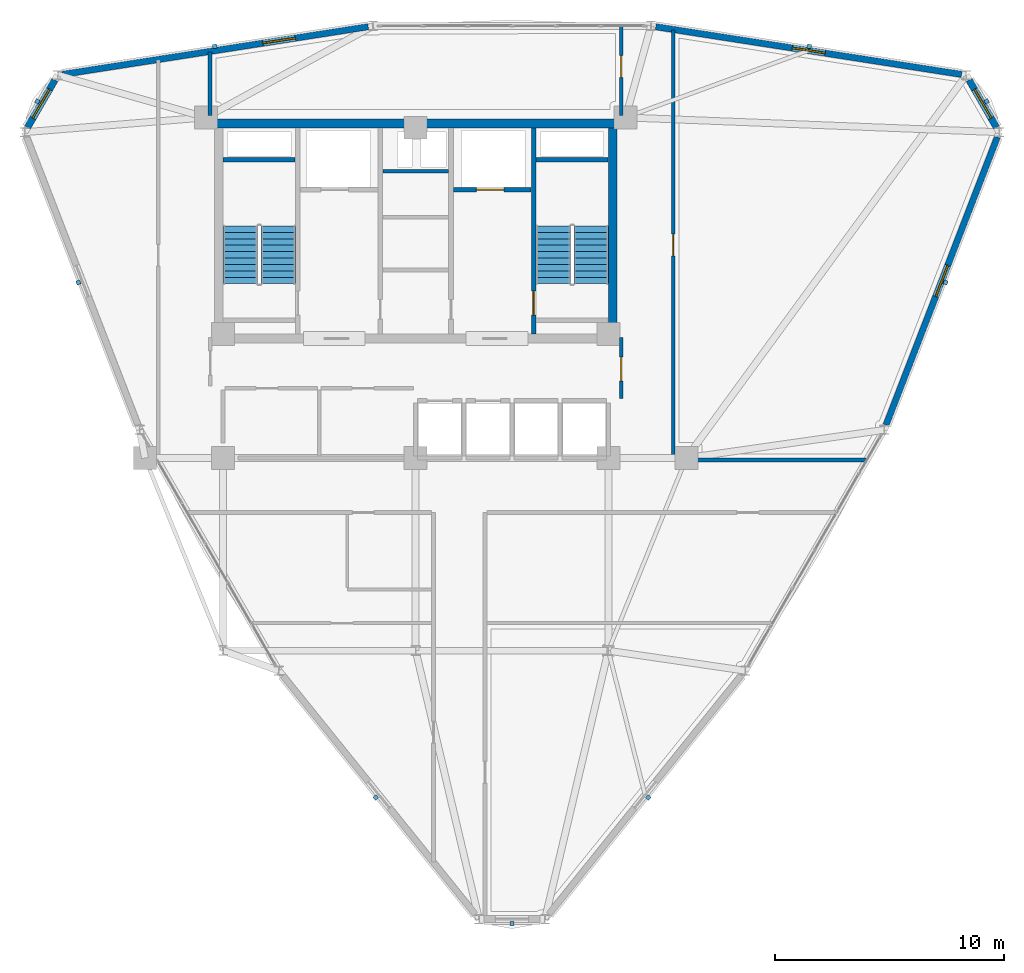
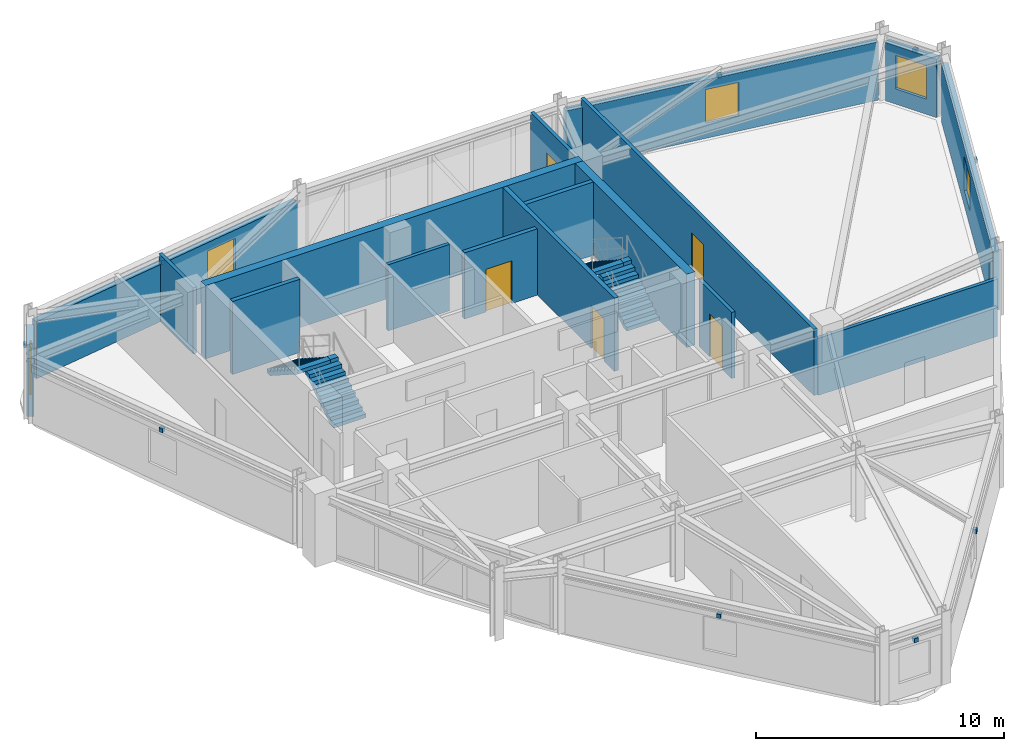
# One storey, part 14 of 16: 17 walls, 9 discrete accessories, 5 doors, 5 windows, 4 stair flights, 10 openings, 2 elements without a shape of their own.
"""IFC4 building model written with IfcOpenShell, lengths in metres."""

from ifc_helpers import new_model, si_unit, derived_unit, direction, frame, frame_2d, origin, origin_2d, place, context, subcontext, project, spatial, polyline, rectangle, outline, extrude, source, transform, mapped, material, layer, layer_set, type_object, element, fill, aggregate, save


model = new_model("IFC4")

# Units and contexts
model_context = context("Model", 3, precision=1e-05, world=origin(), true_north=direction((0.0, 1.0)))
body_context = subcontext(model_context, "Body", "Model", "MODEL_VIEW")
ifc_project = project(units=[si_unit("LENGTHUNIT", "METRE"), si_unit("AREAUNIT", "SQUARE_METRE"), si_unit("VOLUMEUNIT", "CUBIC_METRE"), si_unit("PLANEANGLEUNIT", "RADIAN"), si_unit("MASSUNIT", "GRAM", prefix="KILO"), derived_unit("THERMALTRANSMITTANCEUNIT", [(si_unit("POWERUNIT", "WATT"), 1), (si_unit("LENGTHUNIT", "METRE"), -2), (si_unit("THERMODYNAMICTEMPERATUREUNIT", "KELVIN"), -1)])], contexts=[model_context])

# Site, building, storey
site_placement = place(None, origin())
site = spatial("IfcSite", under=ifc_project, at=site_placement, CompositionType="ELEMENT")
building_placement = place(site_placement, origin())
building = spatial("IfcBuilding", under=site, at=building_placement, Name="Korsvarv Bourse and Concert Hall", CompositionType="ELEMENT")
storey_placement = place(building_placement, frame((0.0, 0.0, 234.60009765625)))
storey = spatial("IfcBuildingStorey", under=building, at=storey_placement, Name="L61", CompositionType="ELEMENT", Elevation=234.60009765625)

# Walls
ifc_material_1 = material(Name="Concrete C50/60", Category="concrete")
ifc_layer_1 = layer(ifc_material_1, 0.3798828125)
ifc_layer_set_1 = layer_set([ifc_layer_1], Name="Concrete C50/60")
wall_type_1 = type_object("IfcWallType", Name="WL-CORE-380", PredefinedType="SHEAR", material=ifc_layer_set_1)
wall_1_placement = place(storey_placement, frame((27.219970703125, 46.989990234375, 0.0), z_axis=(0.0, 0.0, 1.0), x_axis=(1.0, 0.0, 0.0)))
element("IfcWall", 1, at=wall_1_placement, inside=storey, type_object=wall_type_1, Name="L61 North Core Shear Wall", PredefinedType="SHEAR", context=body_context, shape_type="SweptSolid", body=[
    extrude(rectangle(XDim=17.56005859375, YDim=0.3798828125, at=frame_2d((8.780029296875, 0.0))), origin(), (0.0, 0.0, 1.0), 3.599853515625),
])
wall_2_placement = place(storey_placement, frame((44.590087890625, 37.800048828125, 0.0), z_axis=(0.0, 0.0, 1.0), x_axis=(0.0, 1.0, 0.0)))
element("IfcWall", 2, at=wall_2_placement, inside=storey, type_object=wall_type_1, Name="L61 East Core Shear Wall", PredefinedType="SHEAR", context=body_context, shape_type="SweptSolid", body=[
    extrude(rectangle(XDim=9.0, YDim=0.3798828125, at=frame_2d((4.5, 0.0))), origin(), (0.0, 0.0, 1.0), 3.599853515625),
])
wall_3_placement = place(storey_placement, frame((27.610107421875, 45.39990234375, 0.0), z_axis=(0.0, 0.0, 1.0), x_axis=(1.0, 0.0, 0.0)))
element("IfcWall", 3, at=wall_3_placement, inside=storey, type_object=wall_type_1, Name="L61 stair shaft structural wall W-L61-ST1-N", PredefinedType="SHEAR", context=body_context, shape_type="SweptSolid", body=[
    extrude(rectangle(XDim=3.139892578125, YDim=0.199951171875, at=frame_2d((1.56982421875, 0.0))), origin(), (0.0, 0.0, 1.0), 3.599853515625),
])

# Wall, opening, door
wall_4_placement = place(storey_placement, frame((41.139892578125, 37.81005859375, 0.0), z_axis=(0.0, 0.0, 1.0), x_axis=(0.0, 1.0, 0.0)))
wall_4 = element("IfcWall", 4, at=wall_4_placement, inside=storey, type_object=wall_type_1, Name="L61 stair shaft structural wall W-L61-ST2-W", PredefinedType="SHEAR", context=body_context, shape_type="SweptSolid", body=[
    extrude(rectangle(XDim=8.97998046875, YDim=0.199951171875, at=frame_2d((4.489990234375, 0.0))), origin(), (0.0, 0.0, 1.0), 3.599853515625),
])
opening_1_placement = place(wall_4_placement, frame((0.820068359375, 0.0, 0.0)))
opening_1 = element("IfcOpeningElement", 5, at=opening_1_placement, cuts=wall_4, Name="Opening D-01", PredefinedType="OPENING", context=body_context, shape_type="SweptSolid", body=[
    extrude(rectangle(XDim=1.050048828125, YDim=2.10009765625, at=frame_2d((0.52490234375, 1.050048828125))), frame((0.0, 0.10986328125, 0.0), z_axis=(0.0, -1.0, 0.0), x_axis=(1.0, 0.0, 0.0)), (0.0, 0.0, 1.0), 0.219970703125),
])
ifc_material_2 = material(Name="Steel S355 fire door", Category="steel")
door_type_1 = type_object("IfcDoorType", Name="DR-FD60", OperationType="NOTDEFINED", PredefinedType="DOOR", material=ifc_material_2)
door_1_placement = place(opening_1_placement, frame((1.050048828125, 0.0, 0.0), z_axis=(0.0, 0.0, 1.0), x_axis=(-1.0, 0.0, 0.0)))
door_1 = element("IfcDoor", 6, at=door_1_placement, inside=storey, type_object=door_type_1, Name="L61 interior door DR-L61-ST2", OperationType="SINGLE_SWING_LEFT", OverallHeight=2.10009765625, OverallWidth=1.050048828125, PredefinedType="DOOR", context=body_context, shape_type="SweptSolid", body=[
    extrude(rectangle(XDim=1.050048828125, YDim=2.10009765625, at=frame_2d((0.52490234375, 1.050048828125))), frame((0.0, 0.02490234375, 0.0), z_axis=(0.0, -1.0, 0.0), x_axis=(1.0, 0.0, 0.0)), (0.0, 0.0, 1.0), 0.050048828125),
])
fill(opening_1, door_1)

# Wall
wall_5_placement = place(storey_placement, frame((41.25, 45.39990234375, 0.0), z_axis=(0.0, 0.0, 1.0), x_axis=(1.0, 0.0, 0.0)))
element("IfcWall", 7, at=wall_5_placement, inside=storey, type_object=wall_type_1, Name="L61 stair shaft structural wall W-L61-ST2-N", PredefinedType="SHEAR", context=body_context, shape_type="SweptSolid", body=[
    extrude(rectangle(XDim=3.139892578125, YDim=0.199951171875, at=frame_2d((1.56982421875, 0.0))), origin(), (0.0, 0.0, 1.0), 3.599853515625),
])

# Wall, opening, window
ifc_material_3 = material(Name="Precast concrete C45/55 with terracotta rainscreen", Category="concrete")
ifc_layer_2 = layer(ifc_material_3, 0.300048828125)
ifc_layer_set_2 = layer_set([ifc_layer_2], Name="Precast concrete C45/55 with terracotta rainscreen")
wall_type_2 = type_object("IfcWallType", Name="WL-EXT-TC1", PredefinedType="SOLIDWALL", material=ifc_layer_set_2)
wall_6_placement = place(storey_placement, frame((61.32421875, 46.8193359375, 0.0), z_axis=(0.0, 0.0, 1.0), x_axis=(-0.499938113561, 0.866061130988, 0.0)))
wall_6 = element("IfcWall", 8, at=wall_6_placement, inside=storey, type_object=wall_type_2, Name="L61 terracotta exterior wall EW-L61-B01", PredefinedType="SOLIDWALL", context=body_context, shape_type="SweptSolid", body=[
    extrude(rectangle(XDim=2.384521484375, YDim=0.300048828125, at=frame_2d((1.1923828125, 0.0))), origin(), (0.0, 0.0, 1.0), 2.869873046875),
])
opening_2_placement = place(wall_6_placement, frame((0.46728515625, 0.0, 0.75)))
opening_2 = element("IfcOpeningElement", 9, at=opening_2_placement, cuts=wall_6, Name="Opening W-02", PredefinedType="OPENING", context=body_context, shape_type="SweptSolid", body=[
    extrude(rectangle(XDim=1.449951171875, YDim=1.64990234375, at=frame_2d((0.72509765625, 0.824951171875))), frame((0.0, 0.16015625, 0.0), z_axis=(0.0, -1.0, 0.0), x_axis=(1.0, 0.0, 0.0)), (0.0, 0.0, 1.0), 0.320068359375),
])
ifc_material_4 = material(Name="Thermally broken aluminium frame with triple low-E glass", Category="glass")
window_type = type_object("IfcWindowType", Name="WIN-TW2", PartitioningType="SINGLE_PANEL", PredefinedType="WINDOW", material=ifc_material_4)
window_1_placement = place(opening_2_placement, origin())
window_1 = element("IfcWindow", 10, at=window_1_placement, inside=storey, type_object=window_type, Name="L61 punched facade window W-02", OverallHeight=1.64990234375, OverallWidth=1.449951171875, PartitioningType="SINGLE_PANEL", PredefinedType="WINDOW", context=body_context, shape_type="SweptSolid", body=[
    extrude(rectangle(XDim=1.449951171875, YDim=1.64990234375, at=frame_2d((0.72509765625, 0.824951171875))), frame((0.0, 0.030029296875, 0.0), z_axis=(0.0, -1.0, 0.0), x_axis=(1.0, 0.0, 0.0)), (0.0, 0.0, 1.0), 0.06005859375),
])
fill(opening_2, window_1)

wall_7_placement = place(storey_placement, frame((20.26806640625, 48.884521484375, 0.0), z_axis=(0.0, 0.0, 1.0), x_axis=(-0.500014901547, -0.866016800201, 0.0)))
wall_7 = element("IfcWall", 11, at=wall_7_placement, inside=storey, type_object=wall_type_2, Name="L61 terracotta exterior wall EW-L61-B05", PredefinedType="SOLIDWALL", context=body_context, shape_type="SweptSolid", body=[
    extrude(rectangle(XDim=2.384765625, YDim=0.300048828125, at=frame_2d((1.1923828125, 0.0))), origin(), (0.0, 0.0, 1.0), 2.869873046875),
])
opening_3_placement = place(wall_7_placement, frame((0.46728515625, 0.0, 0.75)))
opening_3 = element("IfcOpeningElement", 12, at=opening_3_placement, cuts=wall_7, Name="Opening W-02", PredefinedType="OPENING", context=body_context, shape_type="SweptSolid", body=[
    extrude(rectangle(XDim=1.449951171875, YDim=1.64990234375, at=frame_2d((0.72509765625, 0.824951171875))), frame((0.0, 0.16015625, 0.0), z_axis=(0.0, -1.0, 0.0), x_axis=(1.0, 0.0, 0.0)), (0.0, 0.0, 1.0), 0.320068359375),
])
window_2_placement = place(opening_3_placement, origin())
window_2 = element("IfcWindow", 13, at=window_2_placement, inside=storey, type_object=window_type, Name="L61 punched facade window W-02", OverallHeight=1.64990234375, OverallWidth=1.449951171875, PartitioningType="SINGLE_PANEL", PredefinedType="WINDOW", context=body_context, shape_type="SweptSolid", body=[
    extrude(rectangle(XDim=1.449951171875, YDim=1.64990234375, at=frame_2d((0.72509765625, 0.824951171875))), frame((0.0, 0.030029296875, 0.0), z_axis=(0.0, -1.0, 0.0), x_axis=(1.0, 0.0, 0.0)), (0.0, 0.0, 1.0), 0.06005859375),
])
fill(opening_3, window_2)

ifc_material_5 = material(Name="Precast concrete C45/55 with fluted terracotta pier", Category="concrete")
ifc_layer_3 = layer(ifc_material_5, 0.280029296875)
ifc_layer_set_3 = layer_set([ifc_layer_3], Name="Precast concrete C45/55 with fluted terracotta pier")
wall_type_3 = type_object("IfcWallType", Name="WL-EXT-TC2", PredefinedType="SOLIDWALL", material=ifc_layer_set_3)
wall_8_placement = place(storey_placement, frame((59.801025390625, 49.1298828125, 0.0), z_axis=(0.0, 0.0, 1.0), x_axis=(-0.988058992674, 0.154076042901, 0.0)))
wall_8 = element("IfcWall", 14, at=wall_8_placement, inside=storey, type_object=wall_type_3, Name="L61 terracotta exterior wall EW-L61-B02", PredefinedType="SOLIDWALL", context=body_context, shape_type="SweptSolid", body=[
    extrude(rectangle(XDim=13.492431640625, YDim=0.280029296875, at=frame_2d((6.74609375, 0.0))), origin(), (0.0, 0.0, 1.0), 2.869873046875),
])
opening_4_placement = place(wall_8_placement, frame((6.02099609375, 0.0, 0.75)))
opening_4 = element("IfcOpeningElement", 15, at=opening_4_placement, cuts=wall_8, Name="Opening W-02", PredefinedType="OPENING", context=body_context, shape_type="SweptSolid", body=[
    extrude(rectangle(XDim=1.449951171875, YDim=1.64990234375, at=frame_2d((0.72509765625, 0.824951171875))), frame((0.0, 0.14990234375, 0.0), z_axis=(0.0, -1.0, 0.0), x_axis=(1.0, 0.0, 0.0)), (0.0, 0.0, 1.0), 0.300048828125),
])
window_3_placement = place(opening_4_placement, origin())
window_3 = element("IfcWindow", 16, at=window_3_placement, inside=storey, type_object=window_type, Name="L61 punched facade window W-02", OverallHeight=1.64990234375, OverallWidth=1.449951171875, PartitioningType="SINGLE_PANEL", PredefinedType="WINDOW", context=body_context, shape_type="SweptSolid", body=[
    extrude(rectangle(XDim=1.449951171875, YDim=1.64990234375, at=frame_2d((0.72509765625, 0.824951171875))), frame((0.0, 0.030029296875, 0.0), z_axis=(0.0, -1.0, 0.0), x_axis=(1.0, 0.0, 0.0)), (0.0, 0.0, 1.0), 0.06005859375),
])
fill(opening_4, window_3)

wall_9_placement = place(storey_placement, frame((33.93017578125, 51.208740234375, 0.0), z_axis=(0.0, 0.0, 1.0), x_axis=(-0.988058563106, -0.154078797613, 0.0)))
wall_9 = element("IfcWall", 17, at=wall_9_placement, inside=storey, type_object=wall_type_3, Name="L61 terracotta exterior wall EW-L61-B04", PredefinedType="SOLIDWALL", context=body_context, shape_type="SweptSolid", body=[
    extrude(rectangle(XDim=13.4921875, YDim=0.280029296875, at=frame_2d((6.74609375, 0.0))), origin(), (0.0, 0.0, 1.0), 2.809814453125),
])
opening_5_placement = place(wall_9_placement, frame((3.210693359375, 0.0, 0.75)))
opening_5 = element("IfcOpeningElement", 18, at=opening_5_placement, cuts=wall_9, Name="Opening W-02", PredefinedType="OPENING", context=body_context, shape_type="SweptSolid", body=[
    extrude(rectangle(XDim=1.449951171875, YDim=1.64990234375, at=frame_2d((0.72509765625, 0.824951171875))), frame((0.0, 0.14990234375, 0.0), z_axis=(0.0, -1.0, 0.0), x_axis=(1.0, 0.0, 0.0)), (0.0, 0.0, 1.0), 0.300048828125),
])
window_4_placement = place(opening_5_placement, origin())
window_4 = element("IfcWindow", 19, at=window_4_placement, inside=storey, type_object=window_type, Name="L61 punched facade window W-02", OverallHeight=1.64990234375, OverallWidth=1.449951171875, PartitioningType="SINGLE_PANEL", PredefinedType="WINDOW", context=body_context, shape_type="SweptSolid", body=[
    extrude(rectangle(XDim=1.449951171875, YDim=1.64990234375, at=frame_2d((0.72509765625, 0.824951171875))), frame((0.0, 0.030029296875, 0.0), z_axis=(0.0, -1.0, 0.0), x_axis=(1.0, 0.0, 0.0)), (0.0, 0.0, 1.0), 0.06005859375),
])
fill(opening_5, window_4)

wall_10_placement = place(storey_placement, frame((56.512451171875, 33.842041015625, 0.0), z_axis=(0.0, 0.0, 1.0), x_axis=(0.360605208927, 0.932718544522, 0.0)))
wall_10 = element("IfcWall", 20, at=wall_10_placement, inside=storey, type_object=wall_type_3, Name="L61 terracotta exterior wall EW-L61-B12", PredefinedType="SOLIDWALL", context=body_context, shape_type="SweptSolid", body=[
    extrude(rectangle(XDim=13.45654296875, YDim=0.280029296875, at=frame_2d((6.728271484375, 0.0))), origin(), (0.0, 0.0, 1.0), 2.869873046875),
])
opening_6_placement = place(wall_10_placement, frame((6.00341796875, 0.0, 0.75)))
opening_6 = element("IfcOpeningElement", 21, at=opening_6_placement, cuts=wall_10, Name="Opening W-02", PredefinedType="OPENING", context=body_context, shape_type="SweptSolid", body=[
    extrude(rectangle(XDim=1.449951171875, YDim=1.64990234375, at=frame_2d((0.72509765625, 0.824951171875))), frame((0.0, 0.14990234375, 0.0), z_axis=(0.0, -1.0, 0.0), x_axis=(1.0, 0.0, 0.0)), (0.0, 0.0, 1.0), 0.300048828125),
])
window_5_placement = place(opening_6_placement, origin())
window_5 = element("IfcWindow", 22, at=window_5_placement, inside=storey, type_object=window_type, Name="L61 punched facade window W-02", OverallHeight=1.64990234375, OverallWidth=1.449951171875, PartitioningType="SINGLE_PANEL", PredefinedType="WINDOW", context=body_context, shape_type="SweptSolid", body=[
    extrude(rectangle(XDim=1.449951171875, YDim=1.64990234375, at=frame_2d((0.72509765625, 0.824951171875))), frame((0.0, 0.030029296875, 0.0), z_axis=(0.0, -1.0, 0.0), x_axis=(1.0, 0.0, 0.0)), (0.0, 0.0, 1.0), 0.06005859375),
])
fill(opening_6, window_5)

# Wall, opening, door
ifc_material_6 = material(Name="Reinforced concrete blockwork C35/45 fire wall", Category="concrete")
ifc_layer_4 = layer(ifc_material_6, 0.199951171875)
ifc_layer_set_4 = layer_set([ifc_layer_4], Name="Reinforced concrete blockwork C35/45 fire wall")
wall_type_4 = type_object("IfcWallType", Name="WL-INT-EI120", PredefinedType="PARTITIONING", material=ifc_layer_set_4)
wall_11_placement = place(storey_placement, frame((37.64990234375, 44.10009765625, 0.0), z_axis=(0.0, 0.0, 1.0), x_axis=(1.0, 0.0, 0.0)))
wall_11 = element("IfcWall", 23, at=wall_11_placement, inside=storey, type_object=wall_type_4, Name="L61 interior partition wall W-L61-FF2-S", PredefinedType="PARTITIONING", context=body_context, shape_type="SweptSolid", body=[
    extrude(rectangle(XDim=3.380126953125, YDim=0.199951171875, at=frame_2d((1.68994140625, 0.0))), origin(), (0.0, 0.0, 1.0), 3.260009765625),
])
opening_7_placement = place(wall_11_placement, frame((1.0, 0.0, 0.0)))
opening_7 = element("IfcOpeningElement", 24, at=opening_7_placement, cuts=wall_11, Name="Opening LD-1", PredefinedType="OPENING", context=body_context, shape_type="SweptSolid", body=[
    extrude(rectangle(XDim=1.199951171875, YDim=2.10009765625, at=frame_2d((0.60009765625, 1.050048828125))), frame((0.0, 0.10986328125, 0.0), z_axis=(0.0, -1.0, 0.0), x_axis=(1.0, 0.0, 0.0)), (0.0, 0.0, 1.0), 0.219970703125),
])
ifc_material_7 = material(Name="Stainless Steel S355 firefighting lift landing door", Category="steel")
door_type_2 = type_object("IfcDoorType", Name="DR-LIFT-FF", OperationType="DOUBLE_DOOR_SLIDING", PredefinedType="DOOR", material=ifc_material_7)
door_2_placement = place(opening_7_placement, origin())
door_2 = element("IfcDoor", 25, at=door_2_placement, inside=storey, type_object=door_type_2, Name="L61 lift sliding landing door LD-L61-FF2", OperationType="DOUBLE_DOOR_SLIDING", OverallHeight=2.10009765625, OverallWidth=1.199951171875, PredefinedType="DOOR", context=body_context, shape_type="SweptSolid", body=[
    extrude(rectangle(XDim=1.199951171875, YDim=2.10009765625, at=frame_2d((0.60009765625, 1.050048828125))), frame((0.0, 0.02490234375, 0.0), z_axis=(0.0, -1.0, 0.0), x_axis=(1.0, 0.0, 0.0)), (0.0, 0.0, 1.0), 0.050048828125),
])
fill(opening_7, door_2)

# Wall
ifc_material_8 = material(Name="Double-stud fire-rated acoustic partition", Category="gypsum")
ifc_layer_5 = layer(ifc_material_8, 0.159912109375)
ifc_layer_set_5 = layer_set([ifc_layer_5], Name="Double-stud fire-rated acoustic partition")
wall_type_5 = type_object("IfcWallType", Name="WL-INT-EI60", PredefinedType="PARTITIONING", material=ifc_layer_set_5)
wall_12_placement = place(storey_placement, frame((34.570068359375, 44.89990234375, 0.0), z_axis=(0.0, 0.0, 1.0), x_axis=(1.0, 0.0, 0.0)))
element("IfcWall", 26, at=wall_12_placement, inside=storey, type_object=wall_type_5, Name="L61 interior partition wall W-L61-K3", PredefinedType="PARTITIONING", context=body_context, shape_type="SweptSolid", body=[
    extrude(rectangle(XDim=2.85986328125, YDim=0.159912109375, at=frame_2d((1.429931640625, 0.0))), origin(), (0.0, 0.0, 1.0), 3.260009765625),
])

# Wall, opening, door
wall_13_placement = place(storey_placement, frame((44.9599609375, 35.0, 0.0), z_axis=(0.0, 0.0, 1.0), x_axis=(0.0, 1.0, 0.0)))
wall_13 = element("IfcWall", 27, at=wall_13_placement, inside=storey, type_object=wall_type_5, Name="L61 interior partition wall W-L61-LOB-E", PredefinedType="PARTITIONING", context=body_context, shape_type="SweptSolid", body=[
    extrude(rectangle(XDim=2.64990234375, YDim=0.159912109375, at=frame_2d((1.324951171875, 0.0))), origin(), (0.0, 0.0, 1.0), 3.260009765625),
])
opening_8_placement = place(wall_13_placement, frame((0.75, 0.0, 0.0)))
opening_8 = element("IfcOpeningElement", 28, at=opening_8_placement, cuts=wall_13, Name="Opening D-01", PredefinedType="OPENING", context=body_context, shape_type="SweptSolid", body=[
    extrude(rectangle(XDim=1.050048828125, YDim=2.10009765625, at=frame_2d((0.52490234375, 1.050048828125))), frame((0.0, 0.08984375, 0.0), z_axis=(0.0, -1.0, 0.0), x_axis=(1.0, 0.0, 0.0)), (0.0, 0.0, 1.0), 0.179931640625),
])
door_3_placement = place(opening_8_placement, origin())
door_3 = element("IfcDoor", 29, at=door_3_placement, inside=storey, type_object=door_type_1, Name="L61 interior door DR-L61-LOBE", OperationType="SINGLE_SWING_LEFT", OverallHeight=2.10009765625, OverallWidth=1.050048828125, PredefinedType="DOOR", context=body_context, shape_type="SweptSolid", body=[
    extrude(rectangle(XDim=1.050048828125, YDim=2.10009765625, at=frame_2d((0.52490234375, 1.050048828125))), frame((0.0, 0.02490234375, 0.0), z_axis=(0.0, -1.0, 0.0), x_axis=(1.0, 0.0, 0.0)), (0.0, 0.0, 1.0), 0.050048828125),
])
fill(opening_8, door_3)

wall_14_placement = place(storey_placement, frame((47.22509765625, 32.31005859375, 0.0), z_axis=(0.0, 0.0, 1.0), x_axis=(0.0, 1.0, 0.0)))
wall_14 = element("IfcWall", 30, at=wall_14_placement, inside=storey, type_object=wall_type_5, Name="L61 interior partition wall W-L61-TCOR-01", PredefinedType="PARTITIONING", context=body_context, shape_type="SweptSolid", body=[
    extrude(rectangle(XDim=18.7607421875, YDim=0.159912109375, at=frame_2d((9.38037109375, 0.0))), origin(), (0.0, 0.0, 1.0), 3.260009765625),
])
opening_9_placement = place(wall_14_placement, frame((8.905517578125, 0.0, 0.0)))
opening_9 = element("IfcOpeningElement", 31, at=opening_9_placement, cuts=wall_14, Name="Opening D-02", PredefinedType="OPENING", context=body_context, shape_type="SweptSolid", body=[
    extrude(rectangle(XDim=0.949951171875, YDim=2.050048828125, at=frame_2d((0.47509765625, 1.02490234375))), frame((0.0, 0.08984375, 0.0), z_axis=(0.0, -1.0, 0.0), x_axis=(1.0, 0.0, 0.0)), (0.0, 0.0, 1.0), 0.179931640625),
])
ifc_material_9 = material(Name="Timber and steel acoustic fire door", Category="wood")
door_type_3 = type_object("IfcDoorType", Name="DR-FD30", OperationType="NOTDEFINED", PredefinedType="DOOR", material=ifc_material_9)
door_4_placement = place(opening_9_placement, origin())
door_4 = element("IfcDoor", 32, at=door_4_placement, inside=storey, type_object=door_type_3, Name="L61 interior door DR-L61-TCOR-NEJ1", OperationType="SINGLE_SWING_RIGHT", OverallHeight=2.050048828125, OverallWidth=0.949951171875, PredefinedType="DOOR", context=body_context, shape_type="SweptSolid", body=[
    extrude(rectangle(XDim=0.949951171875, YDim=2.050048828125, at=frame_2d((0.47509765625, 1.02490234375))), frame((0.0, 0.02490234375, 0.0), z_axis=(0.0, -1.0, 0.0), x_axis=(1.0, 0.0, 0.0)), (0.0, 0.0, 1.0), 0.050048828125),
])
fill(opening_9, door_4)

# Wall
wall_15_placement = place(storey_placement, frame((47.306884765625, 32.31494140625, 0.0), z_axis=(0.0, 0.0, 1.0), x_axis=(1.0, 0.0, 0.0)))
element("IfcWall", 33, at=wall_15_placement, inside=storey, type_object=wall_type_5, Name="L61 interior partition wall W-L61-TCOR-07", PredefinedType="PARTITIONING", context=body_context, shape_type="SweptSolid", body=[
    extrude(rectangle(XDim=8.344482421875, YDim=0.159912109375, at=frame_2d((4.17236328125, 0.0))), origin(), (0.0, 0.0, 1.0), 2.809814453125),
])

# Wall, opening, door
wall_16_placement = place(storey_placement, frame((44.965087890625, 47.340087890625, 0.0), z_axis=(0.0, 0.0, 1.0), x_axis=(0.0, 1.0, 0.0)))
wall_16 = element("IfcWall", 34, at=wall_16_placement, inside=storey, type_object=wall_type_5, Name="L61 interior partition wall W-L61-TCOR-08", PredefinedType="PARTITIONING", context=body_context, shape_type="SweptSolid", body=[
    extrude(rectangle(XDim=3.881103515625, YDim=0.159912109375, at=frame_2d((1.9404296875, 0.0))), origin(), (0.0, 0.0, 1.0), 3.260009765625),
])
opening_10_placement = place(wall_16_placement, frame((1.656494140625, 0.0, 0.0)))
opening_10 = element("IfcOpeningElement", 35, at=opening_10_placement, cuts=wall_16, Name="Opening D-02", PredefinedType="OPENING", context=body_context, shape_type="SweptSolid", body=[
    extrude(rectangle(XDim=0.949951171875, YDim=2.050048828125, at=frame_2d((0.47509765625, 1.02490234375))), frame((0.0, 0.08984375, 0.0), z_axis=(0.0, -1.0, 0.0), x_axis=(1.0, 0.0, 0.0)), (0.0, 0.0, 1.0), 0.179931640625),
])
door_5_placement = place(opening_10_placement, origin())
door_5 = element("IfcDoor", 36, at=door_5_placement, inside=storey, type_object=door_type_3, Name="L61 interior door DR-L61-TCOR-RM44", OperationType="SINGLE_SWING_RIGHT", OverallHeight=2.050048828125, OverallWidth=0.949951171875, PredefinedType="DOOR", context=body_context, shape_type="SweptSolid", body=[
    extrude(rectangle(XDim=0.949951171875, YDim=2.050048828125, at=frame_2d((0.47509765625, 1.02490234375))), frame((0.0, 0.02490234375, 0.0), z_axis=(0.0, -1.0, 0.0), x_axis=(1.0, 0.0, 0.0)), (0.0, 0.0, 1.0), 0.050048828125),
])
fill(opening_10, door_5)

# Wall
wall_17_placement = place(storey_placement, frame((27.034912109375, 47.340087890625, 0.0), z_axis=(0.0, 0.0, 1.0), x_axis=(0.0, 1.0, 0.0)))
element("IfcWall", 37, at=wall_17_placement, inside=storey, type_object=wall_type_5, Name="L61 interior partition wall W-L61-TCOR-09", PredefinedType="PARTITIONING", context=body_context, shape_type="SweptSolid", body=[
    extrude(rectangle(XDim=2.7734375, YDim=0.159912109375, at=frame_2d((1.38671875, 0.0))), origin(), (0.0, 0.0, 1.0), 3.260009765625),
])

# Stair, stair flights
ifc_material_10 = material(Name="Precast concrete C45/55", Category="concrete")
stair_type = type_object("IfcStairType", Name="STR-TYPE-04", PredefinedType="HALF_TURN_STAIR", material=ifc_material_10)
stair_1_placement = place(storey_placement, origin())
stair_1 = element("IfcStair", 38, at=stair_1_placement, inside=storey, type_object=stair_type, Name="L61 Tower West Exit Stair ST-T1", PredefinedType="HALF_TURN_STAIR")
stair_flight_type = type_object("IfcStairFlightType", Name="FLT-TYPE-04", PredefinedType="STRAIGHT", material=ifc_material_10)
stair_flight_1_placement = place(storey_placement, frame((30.010009765625, 40.0, 0.0), z_axis=(0.0, 0.0, 1.0), x_axis=(0.0, 1.0, 0.0)))
stair_flight_1 = element("IfcStairFlight", 39, at=stair_flight_1_placement, type_object=stair_flight_type, Name="ST-T1 flight 1", NumberOfRisers=10, NumberOfTreads=9, PredefinedType="STRAIGHT", RiserHeight=0.18, TreadLength=0.28, context=body_context, shape_type="SweptSolid", body=[
    extrude(outline(polyline([(0.0, 0.0), (0.0, 0.179931640625), (0.280029296875, 0.179931640625), (0.280029296875, 0.360107421875), (0.56005859375, 0.360107421875), (0.56005859375, 0.5400390625), (0.840087890625, 0.5400390625), (0.840087890625, 0.719970703125), (1.1201171875, 0.719970703125), (1.1201171875, 0.89990234375), (1.39990234375, 0.89990234375), (1.39990234375, 1.080078125), (1.679931640625, 1.080078125), (1.679931640625, 1.260009765625), (1.9599609375, 1.260009765625), (1.9599609375, 1.43994140625), (2.239990234375, 1.43994140625), (2.239990234375, 1.6201171875), (2.52001953125, 1.6201171875), (2.52001953125, 1.800048828125), (2.52001953125, 1.44189453125), (0.277099609375, 0.0), (0.0, 0.0)])), frame((0.0, 0.75, 0.0), z_axis=(0.0, -1.0, 0.0), x_axis=(1.0, 0.0, 0.0)), (0.0, 0.0, 1.0), 1.5),
])
stair_flight_2_placement = place(storey_placement, frame((28.35009765625, 42.52001953125, 1.7998046875), z_axis=(0.0, 0.0, 1.0), x_axis=(0.0, -1.0, 0.0)))
stair_flight_2 = element("IfcStairFlight", 40, at=stair_flight_2_placement, type_object=stair_flight_type, Name="ST-T1 flight 2", NumberOfRisers=10, NumberOfTreads=9, PredefinedType="STRAIGHT", RiserHeight=0.18, TreadLength=0.28, context=body_context, shape_type="SweptSolid", body=[
    extrude(outline(polyline([(0.0, 0.0), (0.0, 0.179931640625), (0.280029296875, 0.179931640625), (0.280029296875, 0.360107421875), (0.56005859375, 0.360107421875), (0.56005859375, 0.5400390625), (0.840087890625, 0.5400390625), (0.840087890625, 0.719970703125), (1.1201171875, 0.719970703125), (1.1201171875, 0.89990234375), (1.39990234375, 0.89990234375), (1.39990234375, 1.080078125), (1.679931640625, 1.080078125), (1.679931640625, 1.260009765625), (1.9599609375, 1.260009765625), (1.9599609375, 1.43994140625), (2.239990234375, 1.43994140625), (2.239990234375, 1.6201171875), (2.52001953125, 1.6201171875), (2.52001953125, 1.800048828125), (2.52001953125, 1.44189453125), (0.277099609375, 0.0), (0.0, 0.0)])), frame((0.0, 0.75, 0.0), z_axis=(0.0, -1.0, 0.0), x_axis=(1.0, 0.0, 0.0)), (0.0, 0.0, 1.0), 1.5),
])
aggregate(stair_1, [stair_flight_1, stair_flight_2])

stair_2_placement = place(storey_placement, origin())
stair_2 = element("IfcStair", 41, at=stair_2_placement, inside=storey, type_object=stair_type, Name="L61 Tower East Exit Stair ST-T2", PredefinedType="HALF_TURN_STAIR")
stair_flight_3_placement = place(storey_placement, frame((43.64990234375, 40.0, 0.0), z_axis=(0.0, 0.0, 1.0), x_axis=(0.0, 1.0, 0.0)))
stair_flight_3 = element("IfcStairFlight", 42, at=stair_flight_3_placement, type_object=stair_flight_type, Name="ST-T2 flight 1", NumberOfRisers=10, NumberOfTreads=9, PredefinedType="STRAIGHT", RiserHeight=0.18, TreadLength=0.28, context=body_context, shape_type="SweptSolid", body=[
    extrude(outline(polyline([(0.0, 0.0), (0.0, 0.179931640625), (0.280029296875, 0.179931640625), (0.280029296875, 0.360107421875), (0.56005859375, 0.360107421875), (0.56005859375, 0.5400390625), (0.840087890625, 0.5400390625), (0.840087890625, 0.719970703125), (1.1201171875, 0.719970703125), (1.1201171875, 0.89990234375), (1.39990234375, 0.89990234375), (1.39990234375, 1.080078125), (1.679931640625, 1.080078125), (1.679931640625, 1.260009765625), (1.9599609375, 1.260009765625), (1.9599609375, 1.43994140625), (2.239990234375, 1.43994140625), (2.239990234375, 1.6201171875), (2.52001953125, 1.6201171875), (2.52001953125, 1.800048828125), (2.52001953125, 1.44189453125), (0.277099609375, 0.0), (0.0, 0.0)])), frame((0.0, 0.75, 0.0), z_axis=(0.0, -1.0, 0.0), x_axis=(1.0, 0.0, 0.0)), (0.0, 0.0, 1.0), 1.5),
])
stair_flight_4_placement = place(storey_placement, frame((41.989990234375, 42.52001953125, 1.7998046875), z_axis=(0.0, 0.0, 1.0), x_axis=(0.0, -1.0, 0.0)))
stair_flight_4 = element("IfcStairFlight", 43, at=stair_flight_4_placement, type_object=stair_flight_type, Name="ST-T2 flight 2", NumberOfRisers=10, NumberOfTreads=9, PredefinedType="STRAIGHT", RiserHeight=0.18, TreadLength=0.28, context=body_context, shape_type="SweptSolid", body=[
    extrude(outline(polyline([(0.0, 0.0), (0.0, 0.179931640625), (0.280029296875, 0.179931640625), (0.280029296875, 0.360107421875), (0.56005859375, 0.360107421875), (0.56005859375, 0.5400390625), (0.840087890625, 0.5400390625), (0.840087890625, 0.719970703125), (1.1201171875, 0.719970703125), (1.1201171875, 0.89990234375), (1.39990234375, 0.89990234375), (1.39990234375, 1.080078125), (1.679931640625, 1.080078125), (1.679931640625, 1.260009765625), (1.9599609375, 1.260009765625), (1.9599609375, 1.43994140625), (2.239990234375, 1.43994140625), (2.239990234375, 1.6201171875), (2.52001953125, 1.6201171875), (2.52001953125, 1.800048828125), (2.52001953125, 1.44189453125), (0.277099609375, 0.0), (0.0, 0.0)])), frame((0.0, 0.75, 0.0), z_axis=(0.0, -1.0, 0.0), x_axis=(1.0, 0.0, 0.0)), (0.0, 0.0, 1.0), 1.5),
])
aggregate(stair_2, [stair_flight_3, stair_flight_4])

# Discrete accessories
ifc_material_11 = material(Name="Stainless Steel S355 facade outrigger bracket", Category="steel")
discrete_accessory_type = type_object("IfcDiscreteAccessoryType", Name="ACC-BRK-1", PredefinedType="BRACKET", material=ifc_material_11)
shared_shape = source(origin(), body_context, "Body", "SweptSolid", [
    extrude(rectangle(XDim=0.179931640625, YDim=0.179931640625, at=origin_2d()), origin(), (0.0, 0.0, 1.0), 0.199951171875),
])
for number, where, z_axis, x_axis, name in (
    (44, (60.892578125, 47.947021484375, 2.60986328125), (0.0, 0.0, 1.0), (-0.5, 0.866025403784, 0.0), "L61 terracotta sunshade bracket EW-L61-B01"),
    (45, (53.1630859375, 50.34716796875, 2.60986328125), (0.0, 0.0, 1.0), (-0.988067633226, 0.154020622552, 0.0), "L61 terracotta sunshade bracket EW-L61-B02"),
    (46, (27.23681640625, 50.34716796875, 2.5498046875), (0.0, 0.0, 1.0), (-0.988067633226, -0.154020622552, 0.0), "L61 terracotta sunshade bracket EW-L61-B04"),
    (47, (19.50732421875, 47.947021484375, 2.60986328125), (0.0, 0.0, 1.0), (-0.5, -0.866025403784, 0.0), "L61 terracotta sunshade bracket EW-L61-B05"),
    (48, (21.29345703125, 40.052734375, 2.60986328125), (0.0, 0.0, 1.0), (0.360648044776, -0.932701982307, 0.0), "L61 terracotta sunshade bracket EW-L61-B06"),
    (49, (34.256591796875, 17.60009765625, 2.5498046875), (0.0, 0.0, 1.0), (0.62741958845, -0.778681359755, 0.0), "L61 terracotta sunshade bracket EW-L61-B08"),
    (50, (40.199951171875, 12.106201171875, 2.60986328125), (0.0, 0.0, 1.0), (1.0, 0.0, 0.0), "L61 terracotta sunshade bracket EW-L61-B09"),
    (51, (46.1435546875, 17.60009765625, 2.5498046875), (0.0, 0.0, 1.0), (0.62741958845, 0.778681359755, 0.0), "L61 terracotta sunshade bracket EW-L61-B10"),
    (52, (59.106689453125, 40.052734375, 2.60986328125), (0.0, 0.0, 1.0), (0.360648044776, 0.932701982307, 0.0), "L61 terracotta sunshade bracket EW-L61-B12"),
):
    element("IfcDiscreteAccessory", number, at=place(storey_placement, frame(where, z_axis=z_axis, x_axis=x_axis)), inside=storey, type_object=discrete_accessory_type, Name=name, PredefinedType="BRACKET", context=body_context, shape_type="MappedRepresentation", body=[
        mapped(shared_shape, transform((0.0, 0.0, 0.0), scale=1.0)),
    ])

save(model, "model.ifc")
